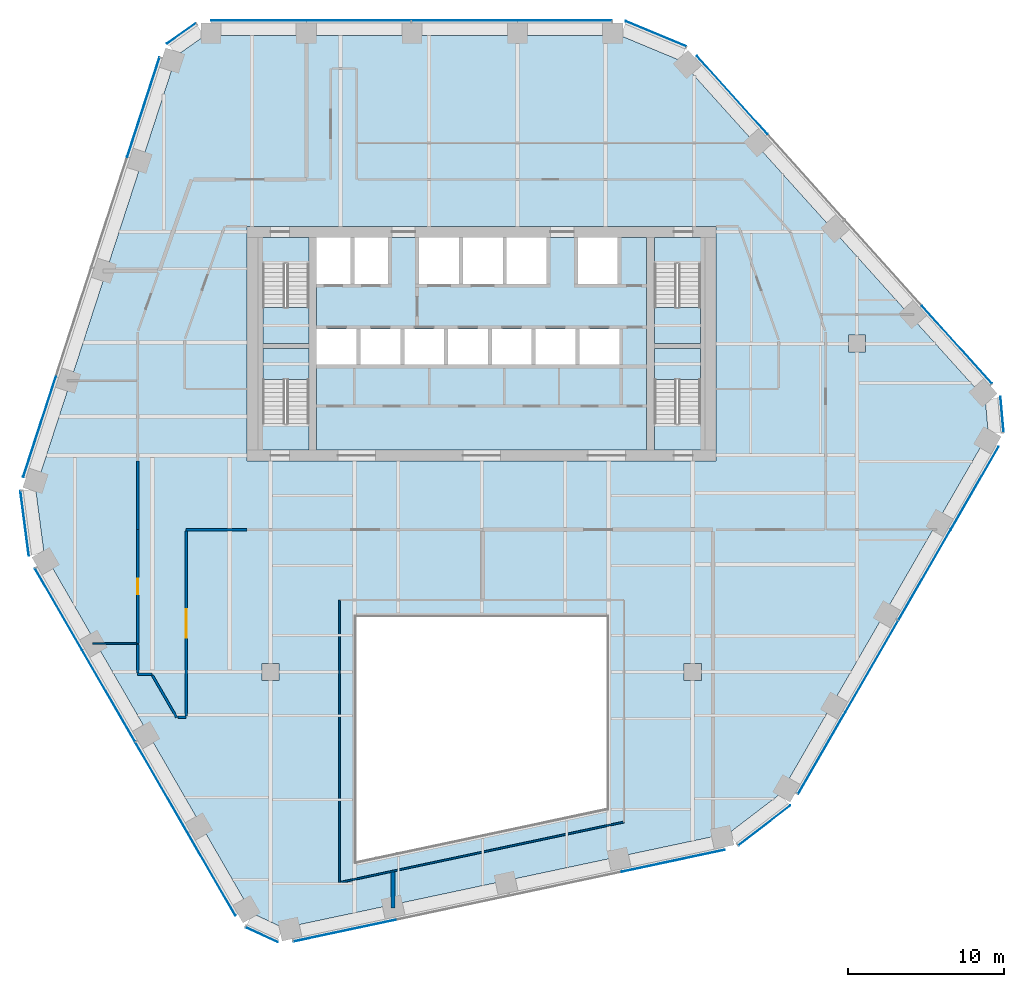
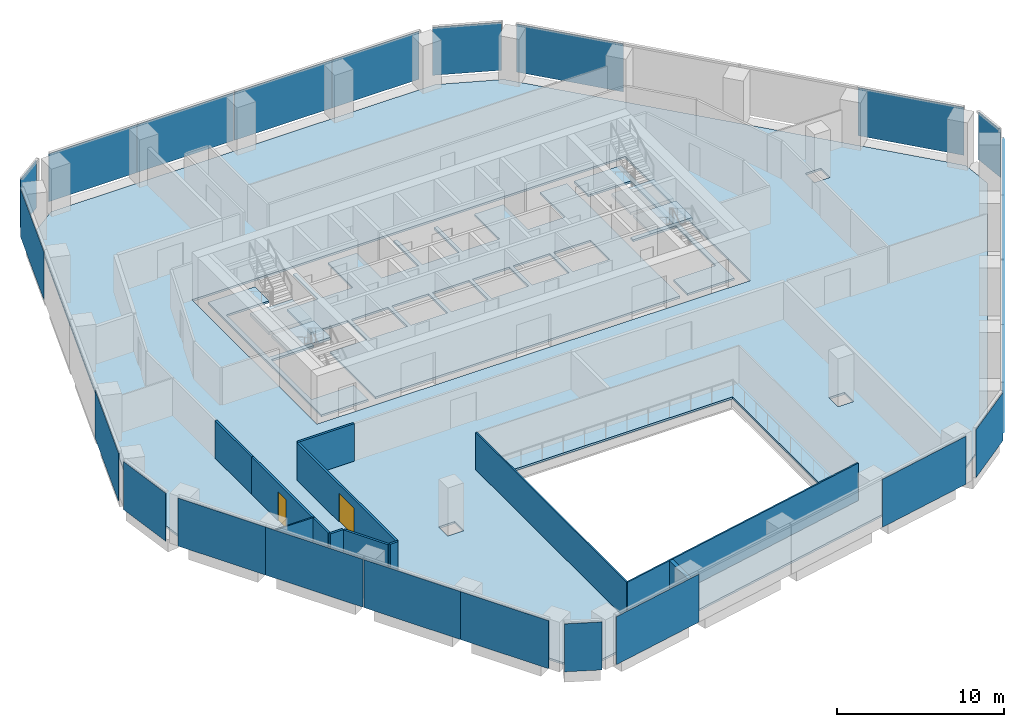
# One storey, part 10 of 17: 24 plates, 12 walls, 8 slabs, 2 doors, 2 openings, 16 elements without a shape of their own.
"""IFC4 building model written with IfcOpenShell, lengths in metres."""

import ifcopenshell
import ifcopenshell.guid

model = None  # the IFC model being written
_history = None  # IfcOwnerHistory: only IFC2X3 demands one
_inside = {}  # id of a spatial element -> (the spatial element, [elements in it])
_under = {}  # id of a project, library or spatial element -> (it, [spatial elements below it])
_declared = {}  # id of a project -> (the project, [libraries it declares])
_typed = {}  # id of a type object -> (the type object, [elements of that type])
_made_of = {}  # id of a material, layer set ... -> (it, [elements and type objects made of it])


def new_model(schema):
    """Start an empty IFC model of exactly this schema.

    Asked for "IFC4X3", IfcOpenShell would pick the latest addendum, in which some entities
    have other attributes; the version numbers below select the first issue.
    IFC2X3 requires an IfcOwnerHistory on every rooted entity: one is made here for all.
    """
    global model, _history
    if schema == "IFC4X3":
        model = ifcopenshell.file(schema_version=(4, 3, 0, 0))
    else:
        model = ifcopenshell.file(schema=schema)
    _inside.clear()
    _under.clear()
    _declared.clear()
    _typed.clear()
    _made_of.clear()
    _history = None
    if model.schema == "IFC2X3":
        org = make("IfcOrganization", Name="unknown")
        user = make(
            "IfcPersonAndOrganization",
            ThePerson=make("IfcPerson", FamilyName="unknown"),
            TheOrganization=org,
        )
        app = make(
            "IfcApplication",
            ApplicationDeveloper=org,
            Version="unknown",
            ApplicationFullName="unknown",
            ApplicationIdentifier="unknown",
        )
        _history = make(
            "IfcOwnerHistory",
            OwningUser=user,
            OwningApplication=app,
            ChangeAction="ADDED",
            CreationDate=0,
        )
    return model


def make(cls, **values):
    """One entity of the class cls with the attributes given. An attribute that is None is left unset."""
    return model.create_entity(
        cls, **{name: value for name, value in values.items() if value is not None}
    )


def rooted(cls, **values):
    """An entity with a GlobalId (a new one), such as an element, a storey or a relation."""
    return make(cls, GlobalId=ifcopenshell.guid.new(), OwnerHistory=_history, **values)


def si_unit(unit_type, name, prefix=None):
    """IfcSIUnit, for example si_unit("LENGTHUNIT", "METRE", prefix="MILLI")."""
    return make("IfcSIUnit", UnitType=unit_type, Prefix=prefix, Name=name)


def assignment(units):
    """IfcUnitAssignment: the units of a project."""
    return None if units is None else make("IfcUnitAssignment", Units=units)


def point(xyz):
    """IfcCartesianPoint."""
    return None if xyz is None else make("IfcCartesianPoint", Coordinates=xyz)


def direction(xyz):
    """IfcDirection."""
    return None if xyz is None else make("IfcDirection", DirectionRatios=xyz)


def frame(location, z_axis=None, x_axis=None):
    """IfcAxis2Placement3D, a coordinate frame: its origin and axes. An axis left out is left unset."""
    return make(
        "IfcAxis2Placement3D",
        Location=point(location),
        Axis=direction(z_axis),
        RefDirection=direction(x_axis),
    )


def frame_2d(location, x_axis=None):
    """IfcAxis2Placement2D, a coordinate frame in the plane: its origin and x axis."""
    return make(
        "IfcAxis2Placement2D", Location=point(location), RefDirection=direction(x_axis)
    )


def origin():
    """The frame at (0, 0, 0) with its axes left unset."""
    return frame((0.0, 0.0, 0.0))


def origin_2d():
    """The frame at (0, 0) in the plane with its x axis left unset."""
    return frame_2d((0.0, 0.0))


def place(relative_to, where):
    """IfcLocalPlacement: puts the frame where relative to a parent placement (None: the world)."""
    return make(
        "IfcLocalPlacement", PlacementRelTo=relative_to, RelativePlacement=where
    )


def context(
    kind, dimensions, precision=None, world=None, true_north=None, identifier=None
):
    """IfcGeometricRepresentationContext, for example the 3D "Model" context."""
    return make(
        "IfcGeometricRepresentationContext",
        ContextIdentifier=identifier,
        ContextType=kind,
        CoordinateSpaceDimension=dimensions,
        Precision=precision,
        WorldCoordinateSystem=world,
        TrueNorth=true_north,
    )


def subcontext(parent, identifier, kind, view, scale=None):
    """IfcGeometricRepresentationSubContext, for example "Body" below "Model"."""
    return make(
        "IfcGeometricRepresentationSubContext",
        ContextIdentifier=identifier,
        ContextType=kind,
        ParentContext=parent,
        TargetScale=scale,
        TargetView=view,
    )


def project(units=None, contexts=None):
    """IfcProject with its units and contexts."""
    return rooted(
        "IfcProject",
        Name="project",
        RepresentationContexts=contexts,
        UnitsInContext=assignment(units),
    )


def spatial(cls, under=None, at=None, **own):
    """A site, building, storey or space (cls), placed at a placement, below another one or the project."""
    s = rooted(cls, ObjectPlacement=at, **own)
    if under is not None:
        _under.setdefault(under.id(), (under, []))[1].append(s)
    return s


def polyline(points):
    """IfcPolyline through the points."""
    return make("IfcPolyline", Points=[point(p) for p in points])


def profile(cls, at=None, kind="AREA", **sizes):
    """A parametric profile (cls). Its sizes go by their IFC names, for example OverallWidth=200.0."""
    return make(cls, ProfileType=kind, Position=at, **sizes)


def rectangle(**sizes):
    """IfcRectangleProfileDef."""
    return profile("IfcRectangleProfileDef", **sizes)


def outline(outer, holes=None, kind="AREA"):
    """IfcArbitraryClosedProfileDef: a profile drawn as a closed curve; with holes, ...WithVoids."""
    if holes is None:
        return make("IfcArbitraryClosedProfileDef", ProfileType=kind, OuterCurve=outer)
    return make(
        "IfcArbitraryProfileDefWithVoids",
        ProfileType=kind,
        OuterCurve=outer,
        InnerCurves=holes,
    )


def extrude(swept, where, along, depth):
    """IfcExtrudedAreaSolid: the profile swept, set in the frame where, extruded along a direction by depth."""
    return make(
        "IfcExtrudedAreaSolid",
        SweptArea=swept,
        Position=where,
        ExtrudedDirection=direction(along),
        Depth=depth,
    )


def shape(context_of_items, identifier, shape_type, items):
    """IfcShapeRepresentation: the items that make up one representation, for example the "Body"."""
    return make(
        "IfcShapeRepresentation",
        ContextOfItems=context_of_items,
        RepresentationIdentifier=identifier,
        RepresentationType=shape_type,
        Items=items,
    )


def material(Name=None, Category=None):
    """IfcMaterial."""
    return make("IfcMaterial", Name=Name, Category=Category)


def layer(
    of_material, thickness, ventilated=None, Name=None, Category=None, Priority=None
):
    """IfcMaterialLayer: one layer of a wall or slab, of a material (None: an air gap)."""
    return make(
        "IfcMaterialLayer",
        Material=of_material,
        LayerThickness=thickness,
        IsVentilated=ventilated,
        Name=Name,
        Category=Category,
        Priority=Priority,
    )


def layer_set(layers, Name=None):
    """IfcMaterialLayerSet."""
    return make("IfcMaterialLayerSet", MaterialLayers=layers, LayerSetName=Name)


def made_of(thing, what):
    """Note that an element or type object is made of a material, layer set ...; save() writes the relation."""
    if what is not None:
        _made_of.setdefault(what.id(), (what, []))[1].append(thing)
    return thing


def type_object(cls, material=None, **own):
    """A type object (cls), such as IfcWallType, which elements share."""
    return made_of(rooted(cls, **own), material)


def element(
    cls,
    number,
    at=None,
    inside=None,
    cuts=None,
    type_object=None,
    material=None,
    context=None,
    identifier="Body",
    shape_type=None,
    held_by="IfcProductDefinitionShape",
    body=None,
    shapes=None,
    **own,
):
    """One element of the class cls, such as IfcWall. Its Tag is "e" and its number.

    at: its placement. inside: the storey or other place that contains it. cuts: it is an
    opening in that element (IfcRelVoidsElement). A single representation is given by context,
    identifier, shape_type and body (its items); several are given by shapes. held_by: the class
    of the entity that holds the representations. save() writes the other relations.
    """
    e = rooted(cls, Tag="e%d" % number, ObjectPlacement=at, **own)
    if body is not None:
        shapes = [shape(context, identifier, shape_type, body)]
    if shapes is not None:
        e.Representation = make(held_by, Representations=shapes)
    if inside is not None:
        _inside.setdefault(inside.id(), (inside, []))[1].append(e)
    if cuts is not None:
        rooted(
            "IfcRelVoidsElement", RelatingBuildingElement=cuts, RelatedOpeningElement=e
        )
    if type_object is not None:
        _typed.setdefault(type_object.id(), (type_object, []))[1].append(e)
    return made_of(e, material)


def fill(opening, filler):
    """IfcRelFillsElement: the door or window that sits in an opening."""
    return rooted(
        "IfcRelFillsElement",
        RelatingOpeningElement=opening,
        RelatedBuildingElement=filler,
    )


def aggregate(whole, parts):
    """IfcRelAggregates: a whole, such as a stair, and the parts it consists of."""
    return rooted("IfcRelAggregates", RelatingObject=whole, RelatedObjects=parts)


def save(model, path):
    """Write the relations noted so far, then the file.

    IfcRelAggregates (storeys below a building ...), IfcRelContainedInSpatialStructure (elements
    in a storey), IfcRelDefinesByType, IfcRelAssociatesMaterial and IfcRelDeclares: one each for
    every whole, place, type object, material and project.
    """
    for whole, parts in _under.values():
        aggregate(whole, parts)
    for where, things in _inside.values():
        rooted(
            "IfcRelContainedInSpatialStructure",
            RelatedElements=things,
            RelatingStructure=where,
        )
    for kind, things in _typed.values():
        rooted("IfcRelDefinesByType", RelatedObjects=things, RelatingType=kind)
    for what, things in _made_of.values():
        rooted("IfcRelAssociatesMaterial", RelatedObjects=things, RelatingMaterial=what)
    for by, libraries in _declared.values():
        rooted("IfcRelDeclares", RelatingContext=by, RelatedDefinitions=libraries)
    model.write(path)


model = new_model("IFC4")

# Units and contexts
model_context = context("Model", 3, precision=1e-05, world=origin(), true_north=direction((0.0, 1.0)))
body_context = subcontext(model_context, "Body", "Model", "MODEL_VIEW")
ifc_project = project(units=[si_unit("LENGTHUNIT", "METRE"), si_unit("AREAUNIT", "SQUARE_METRE"), si_unit("VOLUMEUNIT", "CUBIC_METRE"), si_unit("PLANEANGLEUNIT", "RADIAN"), si_unit("MASSUNIT", "GRAM", prefix="KILO")], contexts=[model_context])

# Site, building, storey
site_placement = place(None, origin())
site = spatial("IfcSite", under=ifc_project, at=site_placement, CompositionType="ELEMENT")
building_placement = place(site_placement, origin())
building = spatial("IfcBuilding", under=site, at=building_placement, Name="Isthmus Gate Tower", CompositionType="ELEMENT")
storey_placement = place(building_placement, frame((0.0, 0.0, 181.75)))
storey = spatial("IfcBuildingStorey", under=building, at=storey_placement, Name="L45", CompositionType="ELEMENT", Elevation=181.75)

# Slabs
ifc_material_1 = material(Name="Concrete f'c 40 MPa", Category="concrete")
ifc_layer_1 = layer(ifc_material_1, 0.14990234375)
ifc_layer_set_1 = layer_set([ifc_layer_1], Name="COMPOSITE FLOOR SLAB 150")
slab_type_1 = type_object("IfcSlabType", Name="COMPOSITE FLOOR SLAB 150", PredefinedType="FLOOR", material=ifc_layer_set_1)
slab_1_placement = place(storey_placement, frame((0.0, 0.0, -0.14990234375)))
element("IfcSlab", 1, at=slab_1_placement, inside=storey, type_object=slab_type_1, Name="str-slab-L45-1", PredefinedType="FLOOR", context=body_context, shape_type="SweptSolid", body=[
    extrude(outline(polyline([(12.72802734375, 25.599365234375), (32.21044921875, 3.9619140625), (32.410400390625, 1.736083984375), (19.116455078125, -21.289306640625), (15.8056640625, -23.822509765625), (-12.674072265625, -29.876220703125), (-14.701416015625, -28.936279296875), (-27.995361328125, -5.91064453125), (-28.53369140625, -1.77685546875), (-19.536376953125, 25.9140625), (-17.708740234375, 27.199951171875), (8.87890625, 27.199951171875), (12.72802734375, 25.599365234375)]), holes=[polyline([(-8.0, -10.0), (-8.0, -25.611083984375), (8.0, -22.210205078125), (8.0, -10.0), (-8.0, -10.0)]), polyline([(-14.050048828125, -12.949951171875), (-14.050048828125, -14.050048828125), (-12.949951171875, -14.050048828125), (-12.949951171875, -12.949951171875), (-14.050048828125, -12.949951171875)]), polyline([(14.050048828125, -12.949951171875), (12.949951171875, -12.949951171875), (12.949951171875, -14.050048828125), (14.050048828125, -14.050048828125), (14.050048828125, -12.949951171875)]), polyline([(-15.0, 15.0), (-15.0, 0.0), (15.0, 0.0), (15.0, 15.0), (-15.0, 15.0)]), polyline([(24.550048828125, 6.949951171875), (24.550048828125, 8.050048828125), (23.449951171875, 8.050048828125), (23.449951171875, 6.949951171875), (24.550048828125, 6.949951171875)])]), origin(), (0.0, 0.0, 1.0), 0.14990234375),
])
ifc_material_2 = material(Name="Concrete f'c 40 MPa", Category="concrete")
ifc_layer_2 = layer(ifc_material_2, 0.14990234375)
ifc_layer_set_2 = layer_set([ifc_layer_2], Name="CORE FLOOR SLAB 150")
slab_type_2 = type_object("IfcSlabType", Name="CORE FLOOR SLAB 150", PredefinedType="FLOOR", material=ifc_layer_set_2)
slab_2_placement = place(storey_placement, frame((0.0, 0.0, -0.14990234375)))
element("IfcSlab", 2, at=slab_2_placement, inside=storey, type_object=slab_type_2, Name="L45 core floor", PredefinedType="FLOOR", context=body_context, shape_type="SweptSolid", body=[
    extrude(outline(polyline([(-11.050048828125, 0.699951171875), (-11.050048828125, 2.402099609375), (-14.0, 2.402099609375), (-14.0, 7.199951171875), (-11.050048828125, 7.199951171875), (-11.050048828125, 7.5), (-14.0, 7.5), (-14.0, 12.597900390625), (-11.050048828125, 12.597900390625), (-11.050048828125, 14.300048828125), (-14.300048828125, 14.300048828125), (-14.300048828125, 0.699951171875), (-11.050048828125, 0.699951171875)])), origin(), (0.0, 0.0, 1.0), 0.14990234375),
])
slab_3_placement = place(storey_placement, frame((0.0, 0.0, -0.14990234375)))
element("IfcSlab", 3, at=slab_3_placement, inside=storey, type_object=slab_type_2, Name="L45 core floor", PredefinedType="FLOOR", context=body_context, shape_type="SweptSolid", body=[
    extrude(outline(polyline([(10.550048828125, 14.300048828125), (8.699951171875, 14.300048828125), (8.699951171875, 11.300048828125), (6.14990234375, 11.300048828125), (6.14990234375, 14.300048828125), (4.14990234375, 14.300048828125), (4.14990234375, 11.300048828125), (1.60009765625, 11.300048828125), (1.60009765625, 14.300048828125), (1.35009765625, 14.300048828125), (1.35009765625, 11.300048828125), (-1.199951171875, 11.300048828125), (-1.199951171875, 14.300048828125), (-1.449951171875, 14.300048828125), (-1.449951171875, 11.300048828125), (-4.0, 11.300048828125), (-4.0, 14.300048828125), (-6.0, 14.300048828125), (-6.0, 11.300048828125), (-8.14990234375, 11.300048828125), (-8.14990234375, 14.300048828125), (-8.39990234375, 14.300048828125), (-8.39990234375, 11.300048828125), (-10.550048828125, 11.300048828125), (-10.550048828125, 8.449951171875), (-8.0, 8.449951171875), (-8.0, 6.14990234375), (-10.550048828125, 6.14990234375), (-10.550048828125, 0.699951171875), (10.550048828125, 0.699951171875), (10.550048828125, 14.300048828125)]), holes=[polyline([(-5.199951171875, 8.449951171875), (-5.199951171875, 6.14990234375), (-7.75, 6.14990234375), (-7.75, 8.449951171875), (-5.199951171875, 8.449951171875)]), polyline([(-2.39990234375, 8.449951171875), (-2.39990234375, 6.14990234375), (-4.949951171875, 6.14990234375), (-4.949951171875, 8.449951171875), (-2.39990234375, 8.449951171875)]), polyline([(0.39990234375, 8.449951171875), (0.39990234375, 6.14990234375), (-2.14990234375, 6.14990234375), (-2.14990234375, 8.449951171875), (0.39990234375, 8.449951171875)]), polyline([(3.199951171875, 8.449951171875), (3.199951171875, 6.14990234375), (0.64990234375, 6.14990234375), (0.64990234375, 8.449951171875), (3.199951171875, 8.449951171875)]), polyline([(6.0, 8.449951171875), (6.0, 6.14990234375), (3.449951171875, 6.14990234375), (3.449951171875, 8.449951171875), (6.0, 8.449951171875)]), polyline([(8.800048828125, 8.449951171875), (8.800048828125, 6.14990234375), (6.25, 6.14990234375), (6.25, 8.449951171875), (8.800048828125, 8.449951171875)])]), origin(), (0.0, 0.0, 1.0), 0.14990234375),
])
slab_4_placement = place(storey_placement, frame((0.0, 0.0, -0.14990234375)))
element("IfcSlab", 4, at=slab_4_placement, inside=storey, type_object=slab_type_2, Name="L45 core floor", PredefinedType="FLOOR", context=body_context, shape_type="SweptSolid", body=[
    extrude(outline(polyline([(11.050048828125, 14.300048828125), (11.050048828125, 12.597900390625), (14.0, 12.597900390625), (14.0, 7.5), (11.050048828125, 7.5), (11.050048828125, 7.199951171875), (14.0, 7.199951171875), (14.0, 2.402099609375), (11.050048828125, 2.402099609375), (11.050048828125, 0.699951171875), (14.300048828125, 0.699951171875), (14.300048828125, 14.300048828125), (11.050048828125, 14.300048828125)])), origin(), (0.0, 0.0, 1.0), 0.14990234375),
])

# Curtain wall, plates
ifc_material_3 = material(Name="Aluminium, pale champagne anodised", Category="aluminium")
ifc_layer_3 = layer(ifc_material_3, 0.199951171875)
ifc_layer_set_3 = layer_set([ifc_layer_3], Name="CW-1 UNITISED CURTAIN WALL 200 DEEP")
curtain_wall_type = type_object("IfcCurtainWallType", Name="CW-1 UNITISED CURTAIN WALL 200 DEEP", PredefinedType="NOTDEFINED", material=ifc_layer_set_3)
curtain_wall_1_placement = place(storey_placement, origin())
curtain_wall_1 = element("IfcCurtainWall", 5, at=curtain_wall_1_placement, inside=storey, type_object=curtain_wall_type, Name="CW-1 N L45", PredefinedType="NOTDEFINED")
ifc_material_4 = material(Name="Laminated low-iron glass, pale blue tint", Category="glass")
ifc_layer_4 = layer(ifc_material_4, 0.035888671875)
ifc_layer_set_4 = layer_set([ifc_layer_4], Name="CW-1 CLEAR GLASS LITE 36")
plate_type = type_object("IfcPlateType", Name="CW-1 CLEAR GLASS LITE 36", PredefinedType="CURTAIN_PANEL", material=ifc_layer_set_4)
plate_1_placement = place(storey_placement, frame((5.30859375, 28.181884765625, 0.0), z_axis=(0.0, 0.0, 1.0), x_axis=(-1.0, 0.0, 0.0)))
plate_1 = element("IfcPlate", 6, at=plate_1_placement, type_object=plate_type, Name="CW-1 glass lite", PredefinedType="CURTAIN_PANEL", context=body_context, shape_type="SweptSolid", body=[
    extrude(rectangle(XDim=6.0400390625, YDim=0.035888671875, at=origin_2d()), origin(), (0.0, 0.0, 1.0), 3.510009765625),
])
plate_2_placement = place(storey_placement, frame((-1.086669921875, 28.181884765625, 0.0), z_axis=(0.0, 0.0, 1.0), x_axis=(-1.0, 0.0, 0.0)))
plate_2 = element("IfcPlate", 7, at=plate_2_placement, type_object=plate_type, Name="CW-1 glass lite", PredefinedType="CURTAIN_PANEL", context=body_context, shape_type="SweptSolid", body=[
    extrude(rectangle(XDim=6.750244140625, YDim=0.035888671875, at=origin_2d()), origin(), (0.0, 0.0, 1.0), 3.510009765625),
])
plate_3_placement = place(storey_placement, frame((-7.86669921875, 28.181884765625, 0.0), z_axis=(0.0, 0.0, 1.0), x_axis=(-1.0, 0.0, 0.0)))
plate_3 = element("IfcPlate", 8, at=plate_3_placement, type_object=plate_type, Name="CW-1 glass lite", PredefinedType="CURTAIN_PANEL", context=body_context, shape_type="SweptSolid", body=[
    extrude(rectangle(XDim=6.690185546875, YDim=0.035888671875, at=origin_2d()), origin(), (0.0, 0.0, 1.0), 3.510009765625),
])
plate_4_placement = place(storey_placement, frame((-14.261962890625, 28.181884765625, 0.0), z_axis=(0.0, 0.0, 1.0), x_axis=(-1.0, 0.0, 0.0)))
plate_4 = element("IfcPlate", 9, at=plate_4_placement, type_object=plate_type, Name="CW-1 glass lite", PredefinedType="CURTAIN_PANEL", context=body_context, shape_type="SweptSolid", body=[
    extrude(rectangle(XDim=6.10009765625, YDim=0.035888671875, at=origin_2d()), origin(), (0.0, 0.0, 1.0), 3.510009765625),
])
aggregate(curtain_wall_1, [plate_1, plate_2, plate_3, plate_4])

# Curtain wall, plate
curtain_wall_2_placement = place(storey_placement, origin())
curtain_wall_2 = element("IfcCurtainWall", 10, at=curtain_wall_2_placement, inside=storey, type_object=curtain_wall_type, Name="CW-1 N-NW L45", PredefinedType="NOTDEFINED")
plate_5_placement = place(storey_placement, frame((-19.2119140625, 27.343017578125, 0.0), z_axis=(0.0, 0.0, 1.0), x_axis=(-0.81785959165, -0.57541783805, 0.0)))
plate_5 = element("IfcPlate", 11, at=plate_5_placement, type_object=plate_type, Name="CW-1 glass lite", PredefinedType="CURTAIN_PANEL", context=body_context, shape_type="SweptSolid", body=[
    extrude(rectangle(XDim=2.258544921875, YDim=0.035888671875, at=origin_2d()), origin(), (0.0, 0.0, 1.0), 3.510009765625),
])
aggregate(curtain_wall_2, [plate_5])

# Curtain wall, plates
curtain_wall_3_placement = place(storey_placement, origin())
curtain_wall_3 = element("IfcCurtainWall", 12, at=curtain_wall_3_placement, inside=storey, type_object=curtain_wall_type, Name="CW-1 NW L45", PredefinedType="NOTDEFINED")
plate_6_placement = place(storey_placement, frame((-21.6396484375, 22.619140625, 0.0), z_axis=(0.0, 0.0, 1.0), x_axis=(-0.309016994375, -0.951056516295, 0.0)))
plate_6 = element("IfcPlate", 13, at=plate_6_placement, type_object=plate_type, Name="CW-1 glass lite", PredefinedType="CURTAIN_PANEL", context=body_context, shape_type="SweptSolid", body=[
    extrude(rectangle(XDim=6.680908203125, YDim=0.035888671875, at=origin_2d()), origin(), (0.0, 0.0, 1.0), 3.510009765625),
])
plate_7_placement = place(storey_placement, frame((-28.281005859375, 2.178466796875, 0.0), z_axis=(0.0, 0.0, 1.0), x_axis=(-0.309016994375, -0.951056516295, 0.0)))
plate_7 = element("IfcPlate", 14, at=plate_7_placement, type_object=plate_type, Name="CW-1 glass lite", PredefinedType="CURTAIN_PANEL", context=body_context, shape_type="SweptSolid", body=[
    extrude(rectangle(XDim=6.74072265625, YDim=0.035888671875, at=origin_2d()), origin(), (0.0, 0.0, 1.0), 3.510009765625),
])
aggregate(curtain_wall_3, [plate_6, plate_7])

# Curtain wall, plate
curtain_wall_4_placement = place(storey_placement, origin())
curtain_wall_4 = element("IfcCurtainWall", 15, at=curtain_wall_4_placement, inside=storey, type_object=curtain_wall_type, Name="CW-1 NW-SW L45", PredefinedType="NOTDEFINED")
plate_8_placement = place(storey_placement, frame((-29.234619140625, -3.9990234375, 0.0), z_axis=(0.0, 0.0, 1.0), x_axis=(0.129164534, -0.991623175988, 0.0)))
plate_8 = element("IfcPlate", 16, at=plate_8_placement, type_object=plate_type, Name="CW-1 glass lite", PredefinedType="CURTAIN_PANEL", context=body_context, shape_type="SweptSolid", body=[
    extrude(rectangle(XDim=4.181396484375, YDim=0.035888671875, at=origin_2d()), origin(), (0.0, 0.0, 1.0), 3.510009765625),
])
aggregate(curtain_wall_4, [plate_8])

# Curtain wall, plates
curtain_wall_5_placement = place(storey_placement, origin())
curtain_wall_5 = element("IfcCurtainWall", 17, at=curtain_wall_5_placement, inside=storey, type_object=curtain_wall_type, Name="CW-1 SW L45", PredefinedType="NOTDEFINED")
plate_9_placement = place(storey_placement, frame((-27.060546875, -9.49365234375, 0.0), z_axis=(0.0, 0.0, 1.0), x_axis=(0.5, -0.866025403784, 0.0)))
plate_9 = element("IfcPlate", 18, at=plate_9_placement, type_object=plate_type, Name="CW-1 glass lite", PredefinedType="CURTAIN_PANEL", context=body_context, shape_type="SweptSolid", body=[
    extrude(rectangle(XDim=6.0400390625, YDim=0.035888671875, at=origin_2d()), origin(), (0.0, 0.0, 1.0), 3.510009765625),
])
plate_10_placement = place(storey_placement, frame((-23.863037109375, -15.031982421875, 0.0), z_axis=(0.0, 0.0, 1.0), x_axis=(0.5, -0.866025403784, 0.0)))
plate_10 = element("IfcPlate", 19, at=plate_10_placement, type_object=plate_type, Name="CW-1 glass lite", PredefinedType="CURTAIN_PANEL", context=body_context, shape_type="SweptSolid", body=[
    extrude(rectangle(XDim=6.750244140625, YDim=0.035888671875, at=origin_2d()), origin(), (0.0, 0.0, 1.0), 3.510009765625),
])
plate_11_placement = place(storey_placement, frame((-20.472900390625, -20.90380859375, 0.0), z_axis=(0.0, 0.0, 1.0), x_axis=(0.5, -0.866025403784, 0.0)))
plate_11 = element("IfcPlate", 20, at=plate_11_placement, type_object=plate_type, Name="CW-1 glass lite", PredefinedType="CURTAIN_PANEL", context=body_context, shape_type="SweptSolid", body=[
    extrude(rectangle(XDim=6.690185546875, YDim=0.035888671875, at=origin_2d()), origin(), (0.0, 0.0, 1.0), 3.510009765625),
])
plate_12_placement = place(storey_placement, frame((-17.275390625, -26.442138671875, 0.0), z_axis=(0.0, 0.0, 1.0), x_axis=(0.5, -0.866025403784, 0.0)))
plate_12 = element("IfcPlate", 21, at=plate_12_placement, type_object=plate_type, Name="CW-1 glass lite", PredefinedType="CURTAIN_PANEL", context=body_context, shape_type="SweptSolid", body=[
    extrude(rectangle(XDim=6.10009765625, YDim=0.035888671875, at=origin_2d()), origin(), (0.0, 0.0, 1.0), 3.510009765625),
])
aggregate(curtain_wall_5, [plate_9, plate_10, plate_11, plate_12])

# Curtain wall, plate
curtain_wall_6_placement = place(storey_placement, origin())
curtain_wall_6 = element("IfcCurtainWall", 22, at=curtain_wall_6_placement, inside=storey, type_object=curtain_wall_type, Name="CW-1 SW-S L45", PredefinedType="NOTDEFINED")
plate_13_placement = place(storey_placement, frame((-14.07373046875, -30.3095703125, 0.0), z_axis=(0.0, 0.0, 1.0), x_axis=(0.907256261367, -0.420578264073, 0.0)))
plate_13 = element("IfcPlate", 23, at=plate_13_placement, type_object=plate_type, Name="CW-1 glass lite", PredefinedType="CURTAIN_PANEL", context=body_context, shape_type="SweptSolid", body=[
    extrude(rectangle(XDim=2.258544921875, YDim=0.035888671875, at=origin_2d()), origin(), (0.0, 0.0, 1.0), 3.510009765625),
])
aggregate(curtain_wall_6, [plate_13])

# Curtain wall, plates
curtain_wall_7_placement = place(storey_placement, origin())
curtain_wall_7 = element("IfcCurtainWall", 24, at=curtain_wall_7_placement, inside=storey, type_object=curtain_wall_type, Name="CW-1 S L45", PredefinedType="NOTDEFINED")
plate_14_placement = place(storey_placement, frame((-8.768798828125, -30.050048828125, 0.0), z_axis=(0.0, 0.0, 1.0), x_axis=(0.978147600734, 0.207911690818, 0.0)))
plate_14 = element("IfcPlate", 25, at=plate_14_placement, type_object=plate_type, Name="CW-1 glass lite", PredefinedType="CURTAIN_PANEL", context=body_context, shape_type="SweptSolid", body=[
    extrude(rectangle(XDim=6.680908203125, YDim=0.035888671875, at=origin_2d()), origin(), (0.0, 0.0, 1.0), 3.510009765625),
])
plate_15_placement = place(storey_placement, frame((12.25390625, -25.58154296875, 0.0), z_axis=(0.0, 0.0, 1.0), x_axis=(0.978147600734, 0.207911690818, 0.0)))
plate_15 = element("IfcPlate", 26, at=plate_15_placement, type_object=plate_type, Name="CW-1 glass lite", PredefinedType="CURTAIN_PANEL", context=body_context, shape_type="SweptSolid", body=[
    extrude(rectangle(XDim=6.74072265625, YDim=0.035888671875, at=origin_2d()), origin(), (0.0, 0.0, 1.0), 3.510009765625),
])
aggregate(curtain_wall_7, [plate_14, plate_15])

# Curtain wall, plate
curtain_wall_8_placement = place(storey_placement, origin())
curtain_wall_8 = element("IfcCurtainWall", 27, at=curtain_wall_8_placement, inside=storey, type_object=curtain_wall_type, Name="CW-1 S-SE L45", PredefinedType="NOTDEFINED")
plate_16_placement = place(storey_placement, frame((18.08056640625, -23.318359375, 0.0), z_axis=(0.0, 0.0, 1.0), x_axis=(0.794188594387, 0.607671355706, 0.0)))
plate_16 = element("IfcPlate", 28, at=plate_16_placement, type_object=plate_type, Name="CW-1 glass lite", PredefinedType="CURTAIN_PANEL", context=body_context, shape_type="SweptSolid", body=[
    extrude(rectangle(XDim=4.181396484375, YDim=0.035888671875, at=origin_2d()), origin(), (0.0, 0.0, 1.0), 3.510009765625),
])
aggregate(curtain_wall_8, [plate_16])

# Curtain wall, plates
curtain_wall_9_placement = place(storey_placement, origin())
curtain_wall_9 = element("IfcCurtainWall", 29, at=curtain_wall_9_placement, inside=storey, type_object=curtain_wall_type, Name="CW-1 SE L45", PredefinedType="NOTDEFINED")
plate_17_placement = place(storey_placement, frame((21.752197265625, -18.688232421875, 0.0), z_axis=(0.0, 0.0, 1.0), x_axis=(0.5, 0.866025403784, 0.0)))
plate_17 = element("IfcPlate", 30, at=plate_17_placement, type_object=plate_type, Name="CW-1 glass lite", PredefinedType="CURTAIN_PANEL", context=body_context, shape_type="SweptSolid", body=[
    extrude(rectangle(XDim=6.0400390625, YDim=0.035888671875, at=origin_2d()), origin(), (0.0, 0.0, 1.0), 3.510009765625),
])
plate_18_placement = place(storey_placement, frame((24.94970703125, -13.14990234375, 0.0), z_axis=(0.0, 0.0, 1.0), x_axis=(0.5, 0.866025403784, 0.0)))
plate_18 = element("IfcPlate", 31, at=plate_18_placement, type_object=plate_type, Name="CW-1 glass lite", PredefinedType="CURTAIN_PANEL", context=body_context, shape_type="SweptSolid", body=[
    extrude(rectangle(XDim=6.750244140625, YDim=0.035888671875, at=origin_2d()), origin(), (0.0, 0.0, 1.0), 3.510009765625),
])
plate_19_placement = place(storey_placement, frame((28.339599609375, -7.278076171875, 0.0), z_axis=(0.0, 0.0, 1.0), x_axis=(0.5, 0.866025403784, 0.0)))
plate_19 = element("IfcPlate", 32, at=plate_19_placement, type_object=plate_type, Name="CW-1 glass lite", PredefinedType="CURTAIN_PANEL", context=body_context, shape_type="SweptSolid", body=[
    extrude(rectangle(XDim=6.690185546875, YDim=0.035888671875, at=origin_2d()), origin(), (0.0, 0.0, 1.0), 3.510009765625),
])
plate_20_placement = place(storey_placement, frame((31.537353515625, -1.73974609375, 0.0), z_axis=(0.0, 0.0, 1.0), x_axis=(0.5, 0.866025403784, 0.0)))
plate_20 = element("IfcPlate", 33, at=plate_20_placement, type_object=plate_type, Name="CW-1 glass lite", PredefinedType="CURTAIN_PANEL", context=body_context, shape_type="SweptSolid", body=[
    extrude(rectangle(XDim=6.10009765625, YDim=0.035888671875, at=origin_2d()), origin(), (0.0, 0.0, 1.0), 3.510009765625),
])
aggregate(curtain_wall_9, [plate_17, plate_18, plate_19, plate_20])

# Curtain wall, plate
curtain_wall_10_placement = place(storey_placement, origin())
curtain_wall_10 = element("IfcCurtainWall", 34, at=curtain_wall_10_placement, inside=storey, type_object=curtain_wall_type, Name="CW-1 SE-NE L45", PredefinedType="NOTDEFINED")
plate_21_placement = place(storey_placement, frame((33.285888671875, 2.966552734375, 0.0), z_axis=(0.0, 0.0, 1.0), x_axis=(-0.089396669717, 0.995996102123, 0.0)))
plate_21 = element("IfcPlate", 35, at=plate_21_placement, type_object=plate_type, Name="CW-1 glass lite", PredefinedType="CURTAIN_PANEL", context=body_context, shape_type="SweptSolid", body=[
    extrude(rectangle(XDim=2.258544921875, YDim=0.035888671875, at=origin_2d()), origin(), (0.0, 0.0, 1.0), 3.510009765625),
])
aggregate(curtain_wall_10, [plate_21])

# Curtain wall, plates
curtain_wall_11_placement = place(storey_placement, origin())
curtain_wall_11 = element("IfcCurtainWall", 36, at=curtain_wall_11_placement, inside=storey, type_object=curtain_wall_type, Name="CW-1 NE L45", PredefinedType="NOTDEFINED")
plate_22_placement = place(storey_placement, frame((30.408447265625, 7.430908203125, 0.0), z_axis=(0.0, 0.0, 1.0), x_axis=(-0.669130606359, 0.743144825477, 0.0)))
plate_22 = element("IfcPlate", 37, at=plate_22_placement, type_object=plate_type, Name="CW-1 glass lite", PredefinedType="CURTAIN_PANEL", context=body_context, shape_type="SweptSolid", body=[
    extrude(rectangle(XDim=6.680908203125, YDim=0.035888671875, at=origin_2d()), origin(), (0.0, 0.0, 1.0), 3.510009765625),
])
plate_23_placement = place(storey_placement, frame((16.02734375, 23.40283203125, 0.0), z_axis=(0.0, 0.0, 1.0), x_axis=(-0.669130606359, 0.743144825477, 0.0)))
plate_23 = element("IfcPlate", 38, at=plate_23_placement, type_object=plate_type, Name="CW-1 glass lite", PredefinedType="CURTAIN_PANEL", context=body_context, shape_type="SweptSolid", body=[
    extrude(rectangle(XDim=6.74072265625, YDim=0.035888671875, at=origin_2d()), origin(), (0.0, 0.0, 1.0), 3.510009765625),
])
aggregate(curtain_wall_11, [plate_22, plate_23])

# Curtain wall, plate
curtain_wall_12_placement = place(storey_placement, origin())
curtain_wall_12 = element("IfcCurtainWall", 39, at=curtain_wall_12_placement, inside=storey, type_object=curtain_wall_type, Name="CW-1 NE-N L45", PredefinedType="NOTDEFINED")
plate_24_placement = place(storey_placement, frame((11.154052734375, 27.3173828125, 0.0), z_axis=(0.0, 0.0, 1.0), x_axis=(-0.923353128387, 0.383951820282, 0.0)))
plate_24 = element("IfcPlate", 40, at=plate_24_placement, type_object=plate_type, Name="CW-1 glass lite", PredefinedType="CURTAIN_PANEL", context=body_context, shape_type="SweptSolid", body=[
    extrude(rectangle(XDim=4.181396484375, YDim=0.035888671875, at=origin_2d()), origin(), (0.0, 0.0, 1.0), 3.510009765625),
])
aggregate(curtain_wall_12, [plate_24])

# Stair, slab
ifc_material_5 = material(Name="Concrete f'c 40 MPa", Category="concrete")
stair_type = type_object("IfcStairType", Name="CORE STAIR 22 RISERS", PredefinedType="HALF_TURN_STAIR", material=ifc_material_5)
stair_1_placement = place(storey_placement, origin())
stair_1 = element("IfcStair", 41, at=stair_1_placement, inside=storey, type_object=stair_type, Name="L45 Exit Stair 1", PredefinedType="HALF_TURN_STAIR")
ifc_material_6 = material(Name="Concrete f'c 40 MPa", Category="concrete")
ifc_layer_5 = layer(ifc_material_6, 0.199951171875)
ifc_layer_set_5 = layer_set([ifc_layer_5])
slab_type_3 = type_object("IfcSlabType", Name="STAIR LANDING RC 200", PredefinedType="LANDING", material=ifc_layer_set_5)
slab_5_placement = place(storey_placement, frame((0.0, 0.0, 1.625)))
slab_5 = element("IfcSlab", 42, at=slab_5_placement, type_object=slab_type_3, Name="ST1 landing 1", PredefinedType="LANDING", context=body_context, shape_type="SweptSolid", body=[
    extrude(outline(polyline([(-14.0, 9.800048828125), (-14.0, 7.5), (-11.050048828125, 7.5), (-11.050048828125, 9.800048828125), (-14.0, 9.800048828125)])), origin(), (0.0, 0.0, 1.0), 0.199951171875),
])
aggregate(stair_1, [slab_5])

stair_2_placement = place(storey_placement, origin())
stair_2 = element("IfcStair", 43, at=stair_2_placement, inside=storey, type_object=stair_type, Name="L45 Exit Stair 2", PredefinedType="HALF_TURN_STAIR")
slab_6_placement = place(storey_placement, frame((0.0, 0.0, 1.625)))
slab_6 = element("IfcSlab", 44, at=slab_6_placement, type_object=slab_type_3, Name="ST2 landing 1", PredefinedType="LANDING", context=body_context, shape_type="SweptSolid", body=[
    extrude(outline(polyline([(11.050048828125, 9.800048828125), (11.050048828125, 7.5), (14.0, 7.5), (14.0, 9.800048828125), (11.050048828125, 9.800048828125)])), origin(), (0.0, 0.0, 1.0), 0.199951171875),
])
aggregate(stair_2, [slab_6])

stair_3_placement = place(storey_placement, origin())
stair_3 = element("IfcStair", 45, at=stair_3_placement, inside=storey, type_object=stair_type, Name="L45 Exit Stair 7", PredefinedType="HALF_TURN_STAIR")
slab_7_placement = place(storey_placement, frame((0.0, 0.0, 1.625)))
slab_7 = element("IfcSlab", 46, at=slab_7_placement, type_object=slab_type_3, Name="ST7 landing 1", PredefinedType="LANDING", context=body_context, shape_type="SweptSolid", body=[
    extrude(outline(polyline([(-11.050048828125, 5.199951171875), (-11.050048828125, 7.199951171875), (-14.0, 7.199951171875), (-14.0, 5.199951171875), (-11.050048828125, 5.199951171875)])), origin(), (0.0, 0.0, 1.0), 0.199951171875),
])
aggregate(stair_3, [slab_7])

stair_4_placement = place(storey_placement, origin())
stair_4 = element("IfcStair", 47, at=stair_4_placement, inside=storey, type_object=stair_type, Name="L45 Exit Stair 8", PredefinedType="HALF_TURN_STAIR")
slab_8_placement = place(storey_placement, frame((0.0, 0.0, 1.625)))
slab_8 = element("IfcSlab", 48, at=slab_8_placement, type_object=slab_type_3, Name="ST8 landing 1", PredefinedType="LANDING", context=body_context, shape_type="SweptSolid", body=[
    extrude(outline(polyline([(14.0, 5.199951171875), (14.0, 7.199951171875), (11.050048828125, 7.199951171875), (11.050048828125, 5.199951171875), (14.0, 5.199951171875)])), origin(), (0.0, 0.0, 1.0), 0.199951171875),
])
aggregate(stair_4, [slab_8])

# Walls
ifc_material_7 = material(Name="Double-leaf acoustic stud wall, fire-rated", Category="gypsum")
ifc_layer_6 = layer(ifc_material_7, 0.25)
ifc_layer_set_6 = layer_set([ifc_layer_6], Name="ACOUSTIC WALL 250 60 MIN")
wall_type_1 = type_object("IfcWallType", Name="ACOUSTIC WALL 250 60 MIN", PredefinedType="PARTITIONING", material=ifc_layer_set_6)
wall_1_placement = place(storey_placement, frame((-5.674072265625, -28.593017578125, 0.0), z_axis=(0.0, 0.0, 1.0), x_axis=(0.0, 1.0, 0.0)))
element("IfcWall", 49, at=wall_1_placement, inside=storey, type_object=wall_type_1, Name="L45 Acoustic Wall 250 60 Min", PredefinedType="PARTITIONING", context=body_context, shape_type="SweptSolid", body=[
    extrude(rectangle(XDim=2.301025390625, YDim=0.25, at=frame_2d((1.150390625, 0.0))), origin(), (0.0, 0.0, 1.0), 2.7412109375),
])
ifc_material_8 = material(Name="Fire-rated laminated glass in steel frame", Category="steel")
ifc_layer_7 = layer(ifc_material_8, 0.10009765625)
ifc_layer_set_7 = layer_set([ifc_layer_7], Name="ATRIUM SCREEN GLAZED WALL 100 120 MIN")
wall_type_2 = type_object("IfcWallType", Name="ATRIUM SCREEN GLAZED WALL 100 120 MIN", PredefinedType="PARTITIONING", material=ifc_layer_set_7)
wall_2_placement = place(storey_placement, frame((9.10009765625, -23.100830078125, 0.0), z_axis=(0.0, 0.0, 1.0), x_axis=(-0.978146710971, -0.207915876778, 0.0)))
element("IfcWall", 50, at=wall_2_placement, inside=storey, type_object=wall_type_2, Name="L45 atrium screen", PredefinedType="PARTITIONING", context=body_context, shape_type="SweptSolid", body=[
    extrude(rectangle(XDim=18.60693359375, YDim=0.10009765625, at=frame_2d((9.303466796875, 0.0))), origin(), (0.0, 0.0, 1.0), 2.7412109375),
])
wall_3_placement = place(storey_placement, frame((-9.10009765625, -26.969482421875, 0.0), z_axis=(0.0, 0.0, 1.0), x_axis=(0.0, 1.0, 0.0)))
element("IfcWall", 51, at=wall_3_placement, inside=storey, type_object=wall_type_2, Name="L45 atrium screen", PredefinedType="PARTITIONING", context=body_context, shape_type="SweptSolid", body=[
    extrude(rectangle(XDim=18.069580078125, YDim=0.10009765625, at=frame_2d((9.03466796875, 0.0))), origin(), (0.0, 0.0, 1.0), 2.7412109375),
])
ifc_material_9 = material(Name="Gypsum board on steel studs, fire-rated", Category="steel")
ifc_layer_8 = layer(ifc_material_9, 0.14990234375)
ifc_layer_set_8 = layer_set([ifc_layer_8], Name="CORRIDOR WALL 150 60 MIN")
wall_type_3 = type_object("IfcWallType", Name="CORRIDOR WALL 150 60 MIN", PredefinedType="PARTITIONING", material=ifc_layer_set_8)
wall_4_placement = place(storey_placement, frame((-15.0, -4.39990234375, 0.0), z_axis=(0.0, 0.0, 1.0), x_axis=(-1.0, 0.0, 0.0)))
element("IfcWall", 52, at=wall_4_placement, inside=storey, type_object=wall_type_3, Name="L45 Corridor Wall 150 60 Min", PredefinedType="PARTITIONING", context=body_context, shape_type="SweptSolid", body=[
    extrude(rectangle(XDim=3.89990234375, YDim=0.14990234375, at=frame_2d((1.949951171875, 0.0))), origin(), (0.0, 0.0, 1.0), 2.7412109375),
])

# Wall, opening, door
wall_5_placement = place(storey_placement, frame((-22.0, -11.693115234375, 0.0), z_axis=(0.0, 0.0, 1.0), x_axis=(-0.000267728647, 0.999999964161, 0.0)))
wall_5 = element("IfcWall", 53, at=wall_5_placement, inside=storey, type_object=wall_type_3, Name="L45 Corridor Wall 150 60 Min", PredefinedType="PARTITIONING", context=body_context, shape_type="SweptSolid", body=[
    extrude(rectangle(XDim=7.295166015625, YDim=0.14990234375, at=frame_2d((3.6474609375, 0.0))), origin(), (0.0, 0.0, 1.0), 2.7412109375),
])
opening_1_placement = place(wall_5_placement, frame((3.1474609375, 0.0, 0.0)))
opening_1 = element("IfcOpeningElement", 54, at=opening_1_placement, cuts=wall_5, Name="Opening DT-T4B-07", PredefinedType="OPENING", context=body_context, shape_type="SweptSolid", body=[
    extrude(rectangle(XDim=1.0, YDim=2.10009765625, at=frame_2d((0.5, 1.050048828125))), frame((0.0, 0.0849609375, 0.0), z_axis=(0.0, -1.0, 0.0), x_axis=(1.0, 0.0, 0.0)), (0.0, 0.0, 1.0), 0.169921875),
])
ifc_material_10 = material(Name="Solid core timber door leaf, fire-rated", Category="wood")
door_type_1 = type_object("IfcDoorType", Name="FIRE DOOR ROOM 1000 X 2100 60 MIN", OperationType="SINGLE_SWING_LEFT", PredefinedType="DOOR", material=ifc_material_10)
door_1_placement = place(opening_1_placement, origin())
door_1 = element("IfcDoor", 55, at=door_1_placement, inside=storey, type_object=door_type_1, Name="L45 room door", OperationType="SINGLE_SWING_RIGHT", OverallHeight=2.10009765625, OverallWidth=1.0, PredefinedType="DOOR", context=body_context, shape_type="SweptSolid", body=[
    extrude(rectangle(XDim=1.0, YDim=2.10009765625, at=frame_2d((0.5, 1.050048828125))), frame((0.0, 0.02490234375, 0.0), z_axis=(0.0, -1.0, 0.0), x_axis=(1.0, 0.0, 0.0)), (0.0, 0.0, 1.0), 0.050048828125),
])
fill(opening_1, door_1)

# Walls
wall_6_placement = place(storey_placement, frame((-21.10009765625, -13.654052734375, 0.0), z_axis=(0.0, 0.0, 1.0), x_axis=(-1.0, 0.0, 0.0)))
element("IfcWall", 56, at=wall_6_placement, inside=storey, type_object=wall_type_3, Name="L45 Corridor Wall 150 60 Min", PredefinedType="PARTITIONING", context=body_context, shape_type="SweptSolid", body=[
    extrude(rectangle(XDim=0.89990234375, YDim=0.14990234375, at=frame_2d((0.449951171875, 0.0))), origin(), (0.0, 0.0, 1.0), 2.7412109375),
])
wall_7_placement = place(storey_placement, frame((-19.513916015625, -16.39990234375, 0.0), z_axis=(0.0, 0.0, 1.0), x_axis=(-0.500184316454, 0.865918962475, 0.0)))
element("IfcWall", 57, at=wall_7_placement, inside=storey, type_object=wall_type_3, Name="L45 Corridor Wall 150 60 Min", PredefinedType="PARTITIONING", context=body_context, shape_type="SweptSolid", body=[
    extrude(rectangle(XDim=3.095947265625, YDim=0.14990234375, at=frame_2d((1.5478515625, 0.0))), origin(), (0.0, 0.0, 1.0), 2.7412109375),
])
wall_8_placement = place(storey_placement, frame((-18.89990234375, -16.39990234375, 0.0), z_axis=(0.0, 0.0, 1.0), x_axis=(-1.0, 0.0, 0.0)))
element("IfcWall", 58, at=wall_8_placement, inside=storey, type_object=wall_type_3, Name="L45 Corridor Wall 150 60 Min", PredefinedType="PARTITIONING", context=body_context, shape_type="SweptSolid", body=[
    extrude(rectangle(XDim=0.5390625, YDim=0.14990234375, at=frame_2d((0.26953125, 0.0))), origin(), (0.0, 0.0, 1.0), 2.7412109375),
])

# Wall, opening, door
wall_9_placement = place(storey_placement, frame((-18.89990234375, -4.47509765625, 0.0), z_axis=(0.0, 0.0, 1.0), x_axis=(0.0, -1.0, 0.0)))
wall_9 = element("IfcWall", 59, at=wall_9_placement, inside=storey, type_object=wall_type_3, Name="L45 Corridor Wall 150 60 Min", PredefinedType="PARTITIONING", context=body_context, shape_type="SweptSolid", body=[
    extrude(rectangle(XDim=11.849853515625, YDim=0.14990234375, at=frame_2d((5.9248046875, 0.0))), origin(), (0.0, 0.0, 1.0), 2.7412109375),
])
opening_2_placement = place(wall_9_placement, frame((5.02490234375, 0.0, 0.0)))
opening_2 = element("IfcOpeningElement", 60, at=opening_2_placement, cuts=wall_9, Name="Opening DT-T4B-11", PredefinedType="OPENING", context=body_context, shape_type="SweptSolid", body=[
    extrude(rectangle(XDim=1.800048828125, YDim=2.10009765625, at=frame_2d((0.89990234375, 1.050048828125))), frame((0.0, 0.0849609375, 0.0), z_axis=(0.0, -1.0, 0.0), x_axis=(1.0, 0.0, 0.0)), (0.0, 0.0, 1.0), 0.169921875),
])
ifc_material_11 = material(Name="Solid core timber door leaf, fire-rated", Category="wood")
door_type_2 = type_object("IfcDoorType", Name="FIRE DOOR ROOM 1800 X 2100 60 MIN", OperationType="DOUBLE_DOOR_DOUBLE_SWING", PredefinedType="DOOR", material=ifc_material_11)
door_2_placement = place(opening_2_placement, origin())
door_2 = element("IfcDoor", 61, at=door_2_placement, inside=storey, type_object=door_type_2, Name="L45 room door", OperationType="DOUBLE_DOOR_DOUBLE_SWING", OverallHeight=2.10009765625, OverallWidth=1.800048828125, PredefinedType="DOOR", context=body_context, shape_type="SweptSolid", body=[
    extrude(rectangle(XDim=1.800048828125, YDim=2.10009765625, at=frame_2d((0.89990234375, 1.050048828125))), frame((0.0, 0.02490234375, 0.0), z_axis=(0.0, -1.0, 0.0), x_axis=(1.0, 0.0, 0.0)), (0.0, 0.0, 1.0), 0.050048828125),
])
fill(opening_2, door_2)

# Walls
wall_10_placement = place(storey_placement, frame((-22.0, -4.39794921875, 0.0), z_axis=(0.0, 0.0, 1.0), x_axis=(0.0, 1.0, 0.0)))
element("IfcWall", 62, at=wall_10_placement, inside=storey, type_object=wall_type_3, Name="L45 Corridor Wall 150 60 Min", PredefinedType="PARTITIONING", context=body_context, shape_type="SweptSolid", body=[
    extrude(rectangle(XDim=4.39794921875, YDim=0.14990234375, at=frame_2d((2.198974609375, 0.0))), origin(), (0.0, 0.0, 1.0), 2.7412109375),
])
wall_11_placement = place(storey_placement, frame((-22.0, -13.5791015625, 0.0), z_axis=(0.0, 0.0, 1.0), x_axis=(0.0, 1.0, 0.0)))
element("IfcWall", 63, at=wall_11_placement, inside=storey, type_object=wall_type_3, Name="L45 Corridor Wall 150 60 Min", PredefinedType="PARTITIONING", context=body_context, shape_type="SweptSolid", body=[
    extrude(rectangle(XDim=1.836181640625, YDim=0.14990234375, at=frame_2d((0.91796875, 0.0))), origin(), (0.0, 0.0, 1.0), 2.7412109375),
])
ifc_material_12 = material(Name="Gypsum board on steel studs, fire-rated", Category="steel")
ifc_layer_9 = layer(ifc_material_12, 0.10009765625)
ifc_layer_set_9 = layer_set([ifc_layer_9], Name="ROOM PARTITION 100 30 MIN")
wall_type_4 = type_object("IfcWallType", Name="ROOM PARTITION 100 30 MIN", PredefinedType="PARTITIONING", material=ifc_layer_set_9)
wall_12_placement = place(storey_placement, frame((-24.887939453125, -11.693115234375, 0.0), z_axis=(0.0, 0.0, 1.0), x_axis=(1.0, 0.0, 0.0)))
element("IfcWall", 64, at=wall_12_placement, inside=storey, type_object=wall_type_4, Name="L45 Room Partition 100 30 Min", PredefinedType="PARTITIONING", context=body_context, shape_type="SweptSolid", body=[
    extrude(rectangle(XDim=2.81298828125, YDim=0.10009765625, at=frame_2d((1.406494140625, 0.0))), origin(), (0.0, 0.0, 1.0), 2.7412109375),
])

save(model, "model.ifc")
